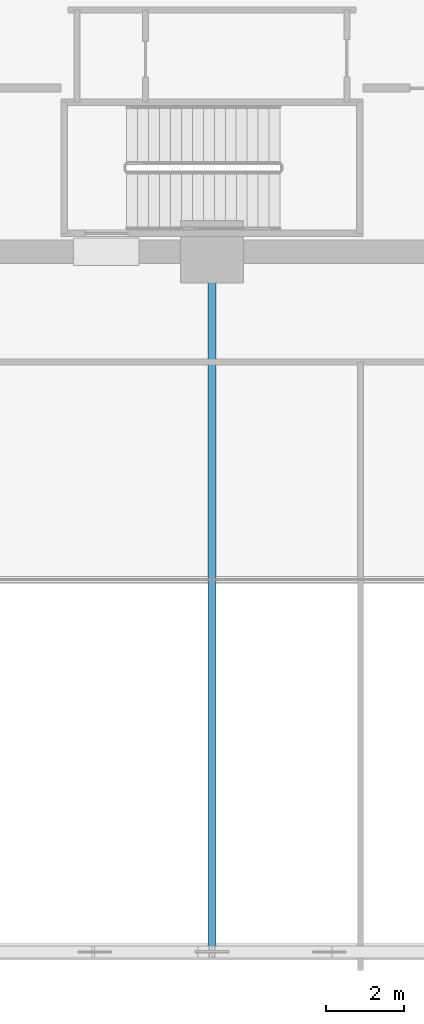
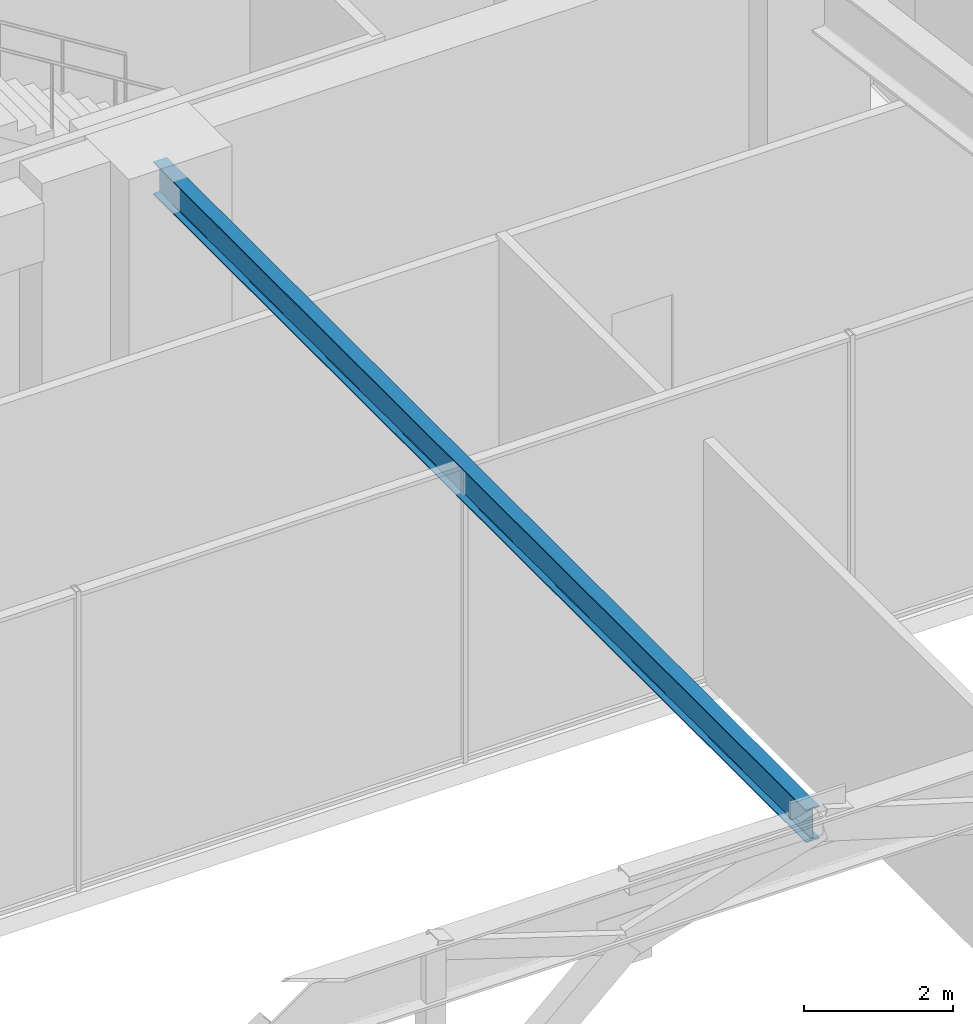
# One storey, part 11 of 49: 1 beam.
"""IFC4 building model written with IfcOpenShell, lengths in metres."""

import ifcopenshell
import ifcopenshell.guid

model = None  # the IFC model being written
_history = None  # IfcOwnerHistory: only IFC2X3 demands one
_inside = {}  # id of a spatial element -> (the spatial element, [elements in it])
_under = {}  # id of a project, library or spatial element -> (it, [spatial elements below it])
_declared = {}  # id of a project -> (the project, [libraries it declares])
_typed = {}  # id of a type object -> (the type object, [elements of that type])
_made_of = {}  # id of a material, layer set ... -> (it, [elements and type objects made of it])


def new_model(schema):
    """Start an empty IFC model of exactly this schema.

    Asked for "IFC4X3", IfcOpenShell would pick the latest addendum, in which some entities
    have other attributes; the version numbers below select the first issue.
    IFC2X3 requires an IfcOwnerHistory on every rooted entity: one is made here for all.
    """
    global model, _history
    if schema == "IFC4X3":
        model = ifcopenshell.file(schema_version=(4, 3, 0, 0))
    else:
        model = ifcopenshell.file(schema=schema)
    _inside.clear()
    _under.clear()
    _declared.clear()
    _typed.clear()
    _made_of.clear()
    _history = None
    if model.schema == "IFC2X3":
        org = make("IfcOrganization", Name="unknown")
        user = make(
            "IfcPersonAndOrganization",
            ThePerson=make("IfcPerson", FamilyName="unknown"),
            TheOrganization=org,
        )
        app = make(
            "IfcApplication",
            ApplicationDeveloper=org,
            Version="unknown",
            ApplicationFullName="unknown",
            ApplicationIdentifier="unknown",
        )
        _history = make(
            "IfcOwnerHistory",
            OwningUser=user,
            OwningApplication=app,
            ChangeAction="ADDED",
            CreationDate=0,
        )
    return model


def make(cls, **values):
    """One entity of the class cls with the attributes given. An attribute that is None is left unset."""
    return model.create_entity(
        cls, **{name: value for name, value in values.items() if value is not None}
    )


def rooted(cls, **values):
    """An entity with a GlobalId (a new one), such as an element, a storey or a relation."""
    return make(cls, GlobalId=ifcopenshell.guid.new(), OwnerHistory=_history, **values)


def si_unit(unit_type, name, prefix=None):
    """IfcSIUnit, for example si_unit("LENGTHUNIT", "METRE", prefix="MILLI")."""
    return make("IfcSIUnit", UnitType=unit_type, Prefix=prefix, Name=name)


def assignment(units):
    """IfcUnitAssignment: the units of a project."""
    return None if units is None else make("IfcUnitAssignment", Units=units)


def point(xyz):
    """IfcCartesianPoint."""
    return None if xyz is None else make("IfcCartesianPoint", Coordinates=xyz)


def direction(xyz):
    """IfcDirection."""
    return None if xyz is None else make("IfcDirection", DirectionRatios=xyz)


def frame(location, z_axis=None, x_axis=None):
    """IfcAxis2Placement3D, a coordinate frame: its origin and axes. An axis left out is left unset."""
    return make(
        "IfcAxis2Placement3D",
        Location=point(location),
        Axis=direction(z_axis),
        RefDirection=direction(x_axis),
    )


def frame_2d(location, x_axis=None):
    """IfcAxis2Placement2D, a coordinate frame in the plane: its origin and x axis."""
    return make(
        "IfcAxis2Placement2D", Location=point(location), RefDirection=direction(x_axis)
    )


def origin():
    """The frame at (0, 0, 0) with its axes left unset."""
    return frame((0.0, 0.0, 0.0))


def origin_2d():
    """The frame at (0, 0) in the plane with its x axis left unset."""
    return frame_2d((0.0, 0.0))


def place(relative_to, where):
    """IfcLocalPlacement: puts the frame where relative to a parent placement (None: the world)."""
    return make(
        "IfcLocalPlacement", PlacementRelTo=relative_to, RelativePlacement=where
    )


def context(
    kind, dimensions, precision=None, world=None, true_north=None, identifier=None
):
    """IfcGeometricRepresentationContext, for example the 3D "Model" context."""
    return make(
        "IfcGeometricRepresentationContext",
        ContextIdentifier=identifier,
        ContextType=kind,
        CoordinateSpaceDimension=dimensions,
        Precision=precision,
        WorldCoordinateSystem=world,
        TrueNorth=true_north,
    )


def subcontext(parent, identifier, kind, view, scale=None):
    """IfcGeometricRepresentationSubContext, for example "Body" below "Model"."""
    return make(
        "IfcGeometricRepresentationSubContext",
        ContextIdentifier=identifier,
        ContextType=kind,
        ParentContext=parent,
        TargetScale=scale,
        TargetView=view,
    )


def project(units=None, contexts=None):
    """IfcProject with its units and contexts."""
    return rooted(
        "IfcProject",
        Name="project",
        RepresentationContexts=contexts,
        UnitsInContext=assignment(units),
    )


def spatial(cls, under=None, at=None, **own):
    """A site, building, storey or space (cls), placed at a placement, below another one or the project."""
    s = rooted(cls, ObjectPlacement=at, **own)
    if under is not None:
        _under.setdefault(under.id(), (under, []))[1].append(s)
    return s


def profile(cls, at=None, kind="AREA", **sizes):
    """A parametric profile (cls). Its sizes go by their IFC names, for example OverallWidth=200.0."""
    return make(cls, ProfileType=kind, Position=at, **sizes)


def i_section(**sizes):
    """IfcIShapeProfileDef."""
    return profile("IfcIShapeProfileDef", **sizes)


def extrude(swept, where, along, depth):
    """IfcExtrudedAreaSolid: the profile swept, set in the frame where, extruded along a direction by depth."""
    return make(
        "IfcExtrudedAreaSolid",
        SweptArea=swept,
        Position=where,
        ExtrudedDirection=direction(along),
        Depth=depth,
    )


def shape(context_of_items, identifier, shape_type, items):
    """IfcShapeRepresentation: the items that make up one representation, for example the "Body"."""
    return make(
        "IfcShapeRepresentation",
        ContextOfItems=context_of_items,
        RepresentationIdentifier=identifier,
        RepresentationType=shape_type,
        Items=items,
    )


def material(Name=None, Category=None):
    """IfcMaterial."""
    return make("IfcMaterial", Name=Name, Category=Category)


def material_profile(
    of_material, cross_section, Name=None, Category=None, Priority=None
):
    """IfcMaterialProfile: a cross section and its material."""
    return make(
        "IfcMaterialProfile",
        Name=Name,
        Material=of_material,
        Profile=cross_section,
        Priority=Priority,
        Category=Category,
    )


def profile_set(profiles, Name=None, composite=None):
    """IfcMaterialProfileSet."""
    return make(
        "IfcMaterialProfileSet",
        Name=Name,
        MaterialProfiles=profiles,
        CompositeProfile=composite,
    )


def made_of(thing, what):
    """Note that an element or type object is made of a material, layer set ...; save() writes the relation."""
    if what is not None:
        _made_of.setdefault(what.id(), (what, []))[1].append(thing)
    return thing


def type_object(cls, material=None, **own):
    """A type object (cls), such as IfcWallType, which elements share."""
    return made_of(rooted(cls, **own), material)


def element(
    cls,
    number,
    at=None,
    inside=None,
    cuts=None,
    type_object=None,
    material=None,
    context=None,
    identifier="Body",
    shape_type=None,
    held_by="IfcProductDefinitionShape",
    body=None,
    shapes=None,
    **own,
):
    """One element of the class cls, such as IfcWall. Its Tag is "e" and its number.

    at: its placement. inside: the storey or other place that contains it. cuts: it is an
    opening in that element (IfcRelVoidsElement). A single representation is given by context,
    identifier, shape_type and body (its items); several are given by shapes. held_by: the class
    of the entity that holds the representations. save() writes the other relations.
    """
    e = rooted(cls, Tag="e%d" % number, ObjectPlacement=at, **own)
    if body is not None:
        shapes = [shape(context, identifier, shape_type, body)]
    if shapes is not None:
        e.Representation = make(held_by, Representations=shapes)
    if inside is not None:
        _inside.setdefault(inside.id(), (inside, []))[1].append(e)
    if cuts is not None:
        rooted(
            "IfcRelVoidsElement", RelatingBuildingElement=cuts, RelatedOpeningElement=e
        )
    if type_object is not None:
        _typed.setdefault(type_object.id(), (type_object, []))[1].append(e)
    return made_of(e, material)


def aggregate(whole, parts):
    """IfcRelAggregates: a whole, such as a stair, and the parts it consists of."""
    return rooted("IfcRelAggregates", RelatingObject=whole, RelatedObjects=parts)


def save(model, path):
    """Write the relations noted so far, then the file.

    IfcRelAggregates (storeys below a building ...), IfcRelContainedInSpatialStructure (elements
    in a storey), IfcRelDefinesByType, IfcRelAssociatesMaterial and IfcRelDeclares: one each for
    every whole, place, type object, material and project.
    """
    for whole, parts in _under.values():
        aggregate(whole, parts)
    for where, things in _inside.values():
        rooted(
            "IfcRelContainedInSpatialStructure",
            RelatedElements=things,
            RelatingStructure=where,
        )
    for kind, things in _typed.values():
        rooted("IfcRelDefinesByType", RelatedObjects=things, RelatingType=kind)
    for what, things in _made_of.values():
        rooted("IfcRelAssociatesMaterial", RelatedObjects=things, RelatingMaterial=what)
    for by, libraries in _declared.values():
        rooted("IfcRelDeclares", RelatingContext=by, RelatedDefinitions=libraries)
    model.write(path)


model = new_model("IFC4")

# Units and contexts
model_context = context("Model", 3, precision=1e-05, world=origin(), true_north=direction((0.0, 1.0)))
body_context = subcontext(model_context, "Body", "Model", "MODEL_VIEW")
ifc_project = project(units=[si_unit("LENGTHUNIT", "METRE"), si_unit("AREAUNIT", "SQUARE_METRE"), si_unit("VOLUMEUNIT", "CUBIC_METRE"), si_unit("PLANEANGLEUNIT", "RADIAN"), si_unit("MASSUNIT", "GRAM", prefix="KILO")], contexts=[model_context])

# Site, building, storey
site_placement = place(None, origin())
site = spatial("IfcSite", under=ifc_project, at=site_placement, CompositionType="ELEMENT")
building_placement = place(site_placement, origin())
building = spatial("IfcBuilding", under=site, at=building_placement, Name="Kolvaren Belvedere", CompositionType="ELEMENT")
storey_placement = place(building_placement, frame((0.0, 0.0, 10.0)))
storey = spatial("IfcBuildingStorey", under=building, at=storey_placement, Name="L03", CompositionType="ELEMENT", Elevation=10.0)

# Beam
ifc_material = material(Name="Structural steel ASTM A992 Grade 50", Category="steel")
ifc_material_profile = material_profile(ifc_material, i_section(OverallWidth=0.2099609375, OverallDepth=0.537109375, WebThickness=0.010986328125, FlangeThickness=0.017333984375, FilletRadius=0.01611328125, at=origin_2d()), Name="W21X68")
ifc_profile_set = profile_set([ifc_material_profile], Name="Structural steel ASTM A992 Grade 50")
beam_type = type_object("IfcBeamType", Name="BM-FLR-W21X68", PredefinedType="BEAM", material=ifc_profile_set)
beam_placement = place(storey_placement, frame((0.0, -10.14990234375, 4.651611328125), z_axis=(0.0, -1.0, 0.0), x_axis=(1.0, 0.0, 0.0)))
element("IfcBeam", 1, at=beam_placement, inside=storey, type_object=beam_type, Name="L03 South Centre Beam", PredefinedType="BEAM", context=body_context, shape_type="SweptSolid", body=[
    extrude(i_section(OverallWidth=0.2099609375, OverallDepth=0.537109375, WebThickness=0.010986328125, FlangeThickness=0.017333984375, FilletRadius=0.01611328125, at=origin_2d()), origin(), (0.0, 0.0, 1.0), 17.530029296875),
])

save(model, "model.ifc")
